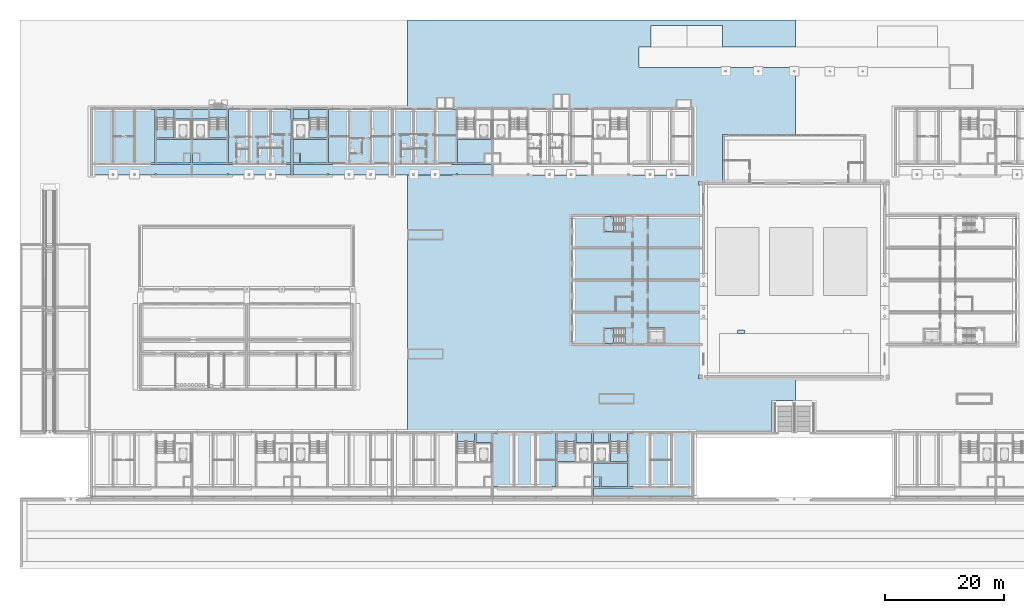
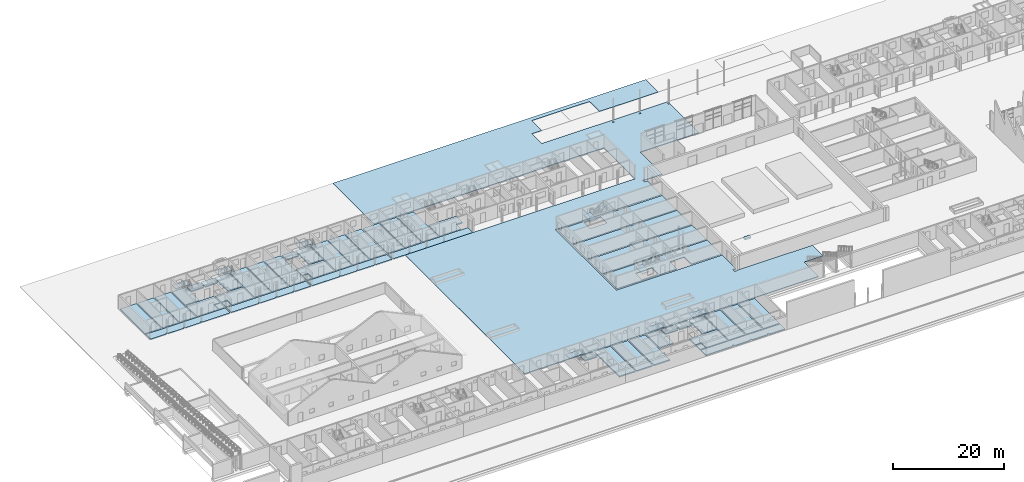
# One storey, part 30 of 112: 57 slabs, 8 elements without a shape of their own.
"""IFC4 building model written with IfcOpenShell, lengths in metres."""

from ifc_helpers import new_model, si_unit, direction, frame, origin, place, context, subcontext, project, spatial, polyline, outline, extrude, material, layer, layer_set, type_object, element, aggregate, save


model = new_model("IFC4")

# Units and contexts
model_context = context("Model", 3, precision=1e-05, world=origin(), true_north=direction((0.0, 1.0)))
body_context = subcontext(model_context, "Body", "Model", "MODEL_VIEW")
ifc_project = project(units=[si_unit("LENGTHUNIT", "METRE"), si_unit("AREAUNIT", "SQUARE_METRE"), si_unit("VOLUMEUNIT", "CUBIC_METRE"), si_unit("PLANEANGLEUNIT", "RADIAN"), si_unit("MASSUNIT", "GRAM", prefix="KILO")], contexts=[model_context])

# Site, building, storey
site_placement = place(None, origin())
site = spatial("IfcSite", under=ifc_project, at=site_placement, CompositionType="ELEMENT")
building_placement = place(site_placement, origin())
building = spatial("IfcBuilding", under=site, at=building_placement, Name="Ridgestep Commons", CompositionType="ELEMENT")
storey_placement = place(building_placement, origin())
storey = spatial("IfcBuildingStorey", under=building, at=storey_placement, Name="L00", CompositionType="ELEMENT", Elevation=0.0)

# Slabs
ifc_material_1 = material(Name="Concrete C30/37", Category="concrete")
ifc_layer_1 = layer(ifc_material_1, 0.14990234375)
ifc_layer_set_1 = layer_set([ifc_layer_1], Name="Community ground slab 150")
slab_type_1 = type_object("IfcSlabType", Name="Community ground slab 150", PredefinedType="BASESLAB", material=ifc_layer_set_1)
slab_1_placement = place(storey_placement, frame((0.0, 0.0, -0.14990234375)))
element("IfcSlab", 1, at=slab_1_placement, inside=storey, type_object=slab_type_1, Name="Community ground slab 150", PredefinedType="BASESLAB", context=body_context, shape_type="SweptSolid", body=[
    extrude(outline(polyline([(92.699951171875, 42.875), (114.39990234375, 42.875), (114.39990234375, 37.75), (108.14990234375, 37.75), (108.14990234375, 40.35009765625), (105.199951171875, 40.35009765625), (105.199951171875, 37.75), (92.699951171875, 37.75), (92.699951171875, 42.875)]), holes=[polyline([(98.030029296875, 38.070068359375), (101.429931640625, 38.070068359375), (101.429931640625, 40.280029296875), (98.030029296875, 40.280029296875), (98.030029296875, 38.070068359375)])]), origin(), (0.0, 0.0, 1.0), 0.14990234375),
])
slab_2_placement = place(storey_placement, frame((0.0, 0.0, -0.14990234375)))
element("IfcSlab", 2, at=slab_2_placement, inside=storey, type_object=slab_type_1, Name="Community ground slab 150", PredefinedType="BASESLAB", context=body_context, shape_type="SweptSolid", body=[
    extrude(outline(polyline([(92.699951171875, 43.125), (114.39990234375, 43.125), (114.39990234375, 48.27490234375), (92.699951171875, 48.27490234375), (92.699951171875, 43.125)])), origin(), (0.0, 0.0, 1.0), 0.14990234375),
])
slab_3_placement = place(storey_placement, frame((0.0, 0.0, -0.14990234375)))
element("IfcSlab", 3, at=slab_3_placement, inside=storey, type_object=slab_type_1, Name="Community ground slab 150", PredefinedType="BASESLAB", context=body_context, shape_type="SweptSolid", body=[
    extrude(outline(polyline([(92.699951171875, 48.52490234375), (114.39990234375, 48.52490234375), (114.39990234375, 53.675048828125), (92.699951171875, 53.675048828125), (92.699951171875, 48.52490234375)])), origin(), (0.0, 0.0, 1.0), 0.14990234375),
])
slab_4_placement = place(storey_placement, frame((0.0, 0.0, -0.14990234375)))
element("IfcSlab", 4, at=slab_4_placement, inside=storey, type_object=slab_type_1, Name="Community ground slab 150", PredefinedType="BASESLAB", context=body_context, shape_type="SweptSolid", body=[
    extrude(outline(polyline([(92.699951171875, 59.050048828125), (114.39990234375, 59.050048828125), (114.39990234375, 53.925048828125), (92.699951171875, 53.925048828125), (92.699951171875, 59.050048828125)]), holes=[polyline([(101.429931640625, 58.72998046875), (98.030029296875, 58.72998046875), (98.030029296875, 56.52001953125), (101.429931640625, 56.52001953125), (101.429931640625, 58.72998046875)])]), origin(), (0.0, 0.0, 1.0), 0.14990234375),
])
ifc_material_2 = material(Name="Concrete C30/37", Category="concrete")
ifc_layer_2 = layer(ifc_material_2, 0.14990234375)
ifc_layer_set_2 = layer_set([ifc_layer_2], Name="Community paving slab 150")
slab_type_2 = type_object("IfcSlabType", Name="Community paving slab 150", PredefinedType="BASESLAB", material=ifc_layer_set_2)
slab_5_placement = place(storey_placement, frame((0.0, 0.0, -0.14990234375)))
element("IfcSlab", 5, at=slab_5_placement, inside=storey, type_object=slab_type_2, Name="Court paving", PredefinedType="BASESLAB", context=body_context, shape_type="SweptSolid", body=[
    extrude(outline(polyline([(130.0, 28.199951171875), (129.300048828125, 28.199951171875), (127.10009765625, 28.199951171875), (126.800048828125, 28.199951171875), (126.10009765625, 28.199951171875), (126.10009765625, 23.0), (65.0, 23.0), (65.0, 66.0), (112.800048828125, 66.0), (112.800048828125, 77.25), (65.0, 77.25), (65.0, 92.0), (130.0, 92.0), (130.0, 87.5), (117.800048828125, 87.5), (117.800048828125, 91.10009765625), (111.800048828125, 91.10009765625), (105.800048828125, 91.10009765625), (105.800048828125, 87.5), (103.800048828125, 87.5), (103.800048828125, 84.0), (130.0, 84.0), (130.0, 72.800048828125), (117.800048828125, 72.800048828125), (117.800048828125, 64.800048828125), (114.39990234375, 64.800048828125), (114.39990234375, 64.89990234375), (113.800048828125, 64.89990234375), (113.800048828125, 64.300048828125), (114.39990234375, 64.300048828125), (114.39990234375, 59.35009765625), (92.39990234375, 59.35009765625), (92.39990234375, 37.449951171875), (114.39990234375, 37.449951171875), (114.39990234375, 32.5), (113.800048828125, 32.5), (113.800048828125, 31.89990234375), (114.39990234375, 31.89990234375), (114.39990234375, 32.0), (130.0, 32.0), (130.0, 28.199951171875)]), holes=[polyline([(118.449951171875, 83.25), (118.449951171875, 83.550048828125), (118.14990234375, 83.550048828125), (118.14990234375, 83.25), (118.449951171875, 83.25)]), polyline([(123.949951171875, 83.550048828125), (123.64990234375, 83.550048828125), (123.64990234375, 83.25), (123.949951171875, 83.25), (123.949951171875, 83.550048828125)]), polyline([(129.949951171875, 83.25), (129.949951171875, 83.550048828125), (129.64990234375, 83.550048828125), (129.64990234375, 83.25), (129.949951171875, 83.25)])]), origin(), (0.0, 0.0, 1.0), 0.14990234375),
])

# Stair, slab
ifc_material_3 = material(Name="Concrete C30/37", Category="concrete")
stair_type_1 = type_object("IfcStairType", Name="Community stair", PredefinedType="HALF_TURN_STAIR", material=ifc_material_3)
stair_1_placement = place(storey_placement, origin())
stair_1 = element("IfcStair", 6, at=stair_1_placement, inside=storey, type_object=stair_type_1, Name="L00 AW-ST0", PredefinedType="HALF_TURN_STAIR")
ifc_material_4 = material(Name="Concrete C30/37", Category="concrete")
ifc_layer_3 = layer(ifc_material_4, 0.199951171875)
ifc_layer_set_3 = layer_set([ifc_layer_3], Name="Community stair landing slab 200")
slab_type_3 = type_object("IfcSlabType", Name="Community stair landing slab 200", PredefinedType="LANDING", material=ifc_layer_set_3)
slab_6_placement = place(storey_placement, frame((0.0, 0.0, 1.300048828125)))
slab_6 = element("IfcSlab", 7, at=slab_6_placement, type_object=slab_type_3, Name="AW-ST0 landing 1", PredefinedType="LANDING", context=body_context, shape_type="SweptSolid", body=[
    extrude(outline(polyline([(99.489990234375, 40.300048828125), (98.010009765625, 40.300048828125), (98.010009765625, 37.75), (99.489990234375, 37.75), (99.489990234375, 40.300048828125)])), origin(), (0.0, 0.0, 1.0), 0.199951171875),
])
aggregate(stair_1, [slab_6])

stair_2_placement = place(storey_placement, origin())
stair_2 = element("IfcStair", 8, at=stair_2_placement, inside=storey, type_object=stair_type_1, Name="L00 AW-ST3", PredefinedType="HALF_TURN_STAIR")
slab_7_placement = place(storey_placement, frame((0.0, 0.0, 1.300048828125)))
slab_7 = element("IfcSlab", 9, at=slab_7_placement, type_object=slab_type_3, Name="AW-ST3 landing 1", PredefinedType="LANDING", context=body_context, shape_type="SweptSolid", body=[
    extrude(outline(polyline([(99.489990234375, 59.050048828125), (98.010009765625, 59.050048828125), (98.010009765625, 56.5), (99.489990234375, 56.5), (99.489990234375, 59.050048828125)])), origin(), (0.0, 0.0, 1.0), 0.199951171875),
])
aggregate(stair_2, [slab_7])

# Slabs
ifc_material_5 = material(Name="Precast concrete C40/50", Category="concrete")
ifc_layer_4 = layer(ifc_material_5, 0.199951171875)
ifc_layer_set_4 = layer_set([ifc_layer_4], Name="Gallery slab 200")
slab_type_4 = type_object("IfcSlabType", Name="Gallery slab 200", PredefinedType="FLOOR", material=ifc_layer_set_4)
slab_8_placement = place(storey_placement, frame((0.0, 0.0, -0.199951171875)))
element("IfcSlab", 10, at=slab_8_placement, inside=storey, type_object=slab_type_4, Name="Gallery slab A6 L00", PredefinedType="FLOOR", context=body_context, shape_type="SweptSolid", body=[
    extrude(outline(polyline([(112.64990234375, 13.550048828125), (96.14990234375, 13.550048828125), (96.14990234375, 11.75), (101.875, 11.75), (101.875, 12.0), (102.125, 12.0), (102.125, 11.75), (105.47509765625, 11.75), (105.47509765625, 12.0), (105.72509765625, 12.0), (105.72509765625, 11.75), (109.074951171875, 11.75), (109.074951171875, 12.0), (109.324951171875, 12.0), (109.324951171875, 11.75), (112.64990234375, 11.75), (112.64990234375, 13.550048828125)])), origin(), (0.0, 0.0, 1.0), 0.199951171875),
])
slab_9_placement = place(storey_placement, frame((0.0, 0.0, -0.199951171875)))
element("IfcSlab", 11, at=slab_9_placement, inside=storey, type_object=slab_type_4, Name="Gallery slab B1 L00", PredefinedType="FLOOR", context=body_context, shape_type="SweptSolid", body=[
    extrude(outline(polyline([(28.64990234375, 67.800048828125), (12.14990234375, 67.800048828125), (12.14990234375, 66.0), (15.47509765625, 66.0), (15.47509765625, 66.25), (15.72509765625, 66.25), (15.72509765625, 66.0), (19.074951171875, 66.0), (19.074951171875, 66.25), (19.324951171875, 66.25), (19.324951171875, 66.0), (22.675048828125, 66.0), (22.675048828125, 66.25), (22.925048828125, 66.25), (22.925048828125, 66.0), (28.64990234375, 66.0), (28.64990234375, 67.800048828125)])), origin(), (0.0, 0.0, 1.0), 0.199951171875),
])
slab_10_placement = place(storey_placement, frame((0.0, 0.0, -0.199951171875)))
element("IfcSlab", 12, at=slab_10_placement, inside=storey, type_object=slab_type_4, Name="Gallery slab B2 L00", PredefinedType="FLOOR", context=body_context, shape_type="SweptSolid", body=[
    extrude(outline(polyline([(45.449951171875, 67.800048828125), (28.949951171875, 67.800048828125), (28.949951171875, 66.0), (34.675048828125, 66.0), (34.675048828125, 66.25), (34.925048828125, 66.25), (34.925048828125, 66.0), (38.27490234375, 66.0), (38.27490234375, 66.25), (38.52490234375, 66.25), (38.52490234375, 66.0), (41.875, 66.0), (41.875, 66.25), (42.125, 66.25), (42.125, 66.0), (45.449951171875, 66.0), (45.449951171875, 67.800048828125)])), origin(), (0.0, 0.0, 1.0), 0.199951171875),
])
slab_11_placement = place(storey_placement, frame((0.0, 0.0, -0.199951171875)))
element("IfcSlab", 13, at=slab_11_placement, inside=storey, type_object=slab_type_4, Name="Gallery slab B3 L00", PredefinedType="FLOOR", context=body_context, shape_type="SweptSolid", body=[
    extrude(outline(polyline([(62.25, 67.800048828125), (45.75, 67.800048828125), (45.75, 66.0), (51.47509765625, 66.0), (51.47509765625, 66.25), (51.72509765625, 66.25), (51.72509765625, 66.0), (55.074951171875, 66.0), (55.074951171875, 66.25), (55.324951171875, 66.25), (55.324951171875, 66.0), (58.675048828125, 66.0), (58.675048828125, 66.25), (58.925048828125, 66.25), (58.925048828125, 66.0), (62.25, 66.0), (62.25, 67.800048828125)])), origin(), (0.0, 0.0, 1.0), 0.199951171875),
])
slab_12_placement = place(storey_placement, frame((0.0, 0.0, -0.199951171875)))
element("IfcSlab", 14, at=slab_12_placement, inside=storey, type_object=slab_type_4, Name="Gallery slab B4 L00", PredefinedType="FLOOR", context=body_context, shape_type="SweptSolid", body=[
    extrude(outline(polyline([(79.050048828125, 67.800048828125), (62.550048828125, 67.800048828125), (62.550048828125, 66.0), (65.875, 66.0), (65.875, 66.25), (66.125, 66.25), (66.125, 66.0), (69.47509765625, 66.0), (69.47509765625, 66.25), (69.72509765625, 66.25), (69.72509765625, 66.0), (73.074951171875, 66.0), (73.074951171875, 66.25), (73.324951171875, 66.25), (73.324951171875, 66.0), (79.050048828125, 66.0), (79.050048828125, 67.800048828125)])), origin(), (0.0, 0.0, 1.0), 0.199951171875),
])
ifc_material_6 = material(Name="Concrete C30/37", Category="concrete")
ifc_layer_5 = layer(ifc_material_6, 0.25)
ifc_layer_set_5 = layer_set([ifc_layer_5], Name="Slab on grade 250")
slab_type_5 = type_object("IfcSlabType", Name="Slab on grade 250", PredefinedType="BASESLAB", material=ifc_layer_set_5)
slab_13_placement = place(storey_placement, frame((0.0, 0.0, -0.25)))
element("IfcSlab", 15, at=slab_13_placement, inside=storey, type_object=slab_type_5, Name="Slab on grade A4C", PredefinedType="BASESLAB", context=body_context, shape_type="SweptSolid", body=[
    extrude(outline(polyline([(79.050048828125, 21.14990234375), (79.050048828125, 22.75), (76.425048828125, 22.75), (76.425048828125, 21.14990234375), (79.050048828125, 21.14990234375)])), origin(), (0.0, 0.0, 1.0), 0.25),
])
slab_14_placement = place(storey_placement, frame((0.0, 0.0, -0.25)))
element("IfcSlab", 16, at=slab_14_placement, inside=storey, type_object=slab_type_5, Name="Slab on grade A5T1", PredefinedType="BASESLAB", context=body_context, shape_type="SweptSolid", body=[
    extrude(outline(polyline([(82.675048828125, 13.75), (82.675048828125, 22.75), (79.35009765625, 22.75), (79.35009765625, 13.75), (82.675048828125, 13.75)])), origin(), (0.0, 0.0, 1.0), 0.25),
])
slab_15_placement = place(storey_placement, frame((0.0, 0.0, -0.25)))
element("IfcSlab", 17, at=slab_15_placement, inside=storey, type_object=slab_type_5, Name="Slab on grade A5T2", PredefinedType="BASESLAB", context=body_context, shape_type="SweptSolid", body=[
    extrude(outline(polyline([(86.27490234375, 13.75), (86.27490234375, 22.75), (82.925048828125, 22.75), (82.925048828125, 13.75), (86.27490234375, 13.75)])), origin(), (0.0, 0.0, 1.0), 0.25),
])
slab_16_placement = place(storey_placement, frame((0.0, 0.0, -0.25)))
element("IfcSlab", 18, at=slab_16_placement, inside=storey, type_object=slab_type_5, Name="Slab on grade A5T3", PredefinedType="BASESLAB", context=body_context, shape_type="SweptSolid", body=[
    extrude(outline(polyline([(89.875, 13.75), (89.875, 22.75), (86.52490234375, 22.75), (86.52490234375, 13.75), (89.875, 13.75)])), origin(), (0.0, 0.0, 1.0), 0.25),
])
slab_17_placement = place(storey_placement, frame((0.0, 0.0, -0.25)))
element("IfcSlab", 19, at=slab_17_placement, inside=storey, type_object=slab_type_5, Name="Slab on grade A5C", PredefinedType="BASESLAB", context=body_context, shape_type="SweptSolid", body=[
    extrude(outline(polyline([(93.02490234375, 22.75), (90.125, 22.75), (90.125, 17.949951171875), (93.02490234375, 17.949951171875), (93.02490234375, 22.75)])), origin(), (0.0, 0.0, 1.0), 0.25),
])
slab_18_placement = place(storey_placement, frame((0.0, 0.0, -0.25)))
element("IfcSlab", 20, at=slab_18_placement, inside=storey, type_object=slab_type_5, Name="Slab on grade A5C", PredefinedType="BASESLAB", context=body_context, shape_type="SweptSolid", body=[
    extrude(outline(polyline([(95.85009765625, 21.14990234375), (95.85009765625, 22.75), (93.22509765625, 22.75), (93.22509765625, 21.14990234375), (95.85009765625, 21.14990234375)])), origin(), (0.0, 0.0, 1.0), 0.25),
])
slab_19_placement = place(storey_placement, frame((0.0, 0.0, -0.25)))
element("IfcSlab", 21, at=slab_19_placement, inside=storey, type_object=slab_type_5, Name="Slab on grade A6C", PredefinedType="BASESLAB", context=body_context, shape_type="SweptSolid", body=[
    extrude(outline(polyline([(97.39990234375, 13.75), (101.875, 13.75), (101.875, 17.75), (96.14990234375, 17.75), (96.14990234375, 15.469970703125), (97.280029296875, 15.469970703125), (97.39990234375, 15.469970703125), (97.39990234375, 13.75)])), origin(), (0.0, 0.0, 1.0), 0.25),
])
slab_20_placement = place(storey_placement, frame((0.0, 0.0, -0.25)))
element("IfcSlab", 22, at=slab_20_placement, inside=storey, type_object=slab_type_5, Name="Slab on grade A6C", PredefinedType="BASESLAB", context=body_context, shape_type="SweptSolid", body=[
    extrude(outline(polyline([(101.875, 17.949951171875), (101.875, 22.75), (98.97509765625, 22.75), (98.97509765625, 17.949951171875), (101.875, 17.949951171875)])), origin(), (0.0, 0.0, 1.0), 0.25),
])
slab_21_placement = place(storey_placement, frame((0.0, 0.0, -0.25)))
element("IfcSlab", 23, at=slab_21_placement, inside=storey, type_object=slab_type_5, Name="Slab on grade A6C", PredefinedType="BASESLAB", context=body_context, shape_type="SweptSolid", body=[
    extrude(outline(polyline([(98.77490234375, 22.75), (96.14990234375, 22.75), (96.14990234375, 21.14990234375), (98.77490234375, 21.14990234375), (98.77490234375, 22.75)])), origin(), (0.0, 0.0, 1.0), 0.25),
])
slab_22_placement = place(storey_placement, frame((0.0, 0.0, -0.25)))
element("IfcSlab", 24, at=slab_22_placement, inside=storey, type_object=slab_type_5, Name="Slab on grade A6C", PredefinedType="BASESLAB", context=body_context, shape_type="SweptSolid", body=[
    extrude(outline(polyline([(97.280029296875, 15.35009765625), (96.14990234375, 15.35009765625), (96.14990234375, 13.75), (97.280029296875, 13.75), (97.280029296875, 15.35009765625)])), origin(), (0.0, 0.0, 1.0), 0.25),
])
slab_23_placement = place(storey_placement, frame((0.0, 0.0, -0.25)))
element("IfcSlab", 25, at=slab_23_placement, inside=storey, type_object=slab_type_5, Name="Slab on grade A6T3", PredefinedType="BASESLAB", context=body_context, shape_type="SweptSolid", body=[
    extrude(outline(polyline([(105.47509765625, 13.75), (105.47509765625, 22.75), (102.125, 22.75), (102.125, 13.75), (105.47509765625, 13.75)])), origin(), (0.0, 0.0, 1.0), 0.25),
])
slab_24_placement = place(storey_placement, frame((0.0, 0.0, -0.25)))
element("IfcSlab", 26, at=slab_24_placement, inside=storey, type_object=slab_type_5, Name="Slab on grade A6T2", PredefinedType="BASESLAB", context=body_context, shape_type="SweptSolid", body=[
    extrude(outline(polyline([(109.074951171875, 13.75), (109.074951171875, 22.75), (105.72509765625, 22.75), (105.72509765625, 13.75), (109.074951171875, 13.75)])), origin(), (0.0, 0.0, 1.0), 0.25),
])
slab_25_placement = place(storey_placement, frame((0.0, 0.0, -0.25)))
element("IfcSlab", 27, at=slab_25_placement, inside=storey, type_object=slab_type_5, Name="Slab on grade A6T1", PredefinedType="BASESLAB", context=body_context, shape_type="SweptSolid", body=[
    extrude(outline(polyline([(112.64990234375, 13.75), (112.64990234375, 22.75), (109.324951171875, 22.75), (109.324951171875, 13.75), (112.64990234375, 13.75)])), origin(), (0.0, 0.0, 1.0), 0.25),
])
slab_26_placement = place(storey_placement, frame((0.0, 0.0, -0.25)))
element("IfcSlab", 28, at=slab_26_placement, inside=storey, type_object=slab_type_5, Name="Slab on grade B1T1", PredefinedType="BASESLAB", context=body_context, shape_type="SweptSolid", body=[
    extrude(outline(polyline([(15.5, 68.0), (15.5, 77.0), (12.14990234375, 77.0), (12.14990234375, 68.0), (15.5, 68.0)])), origin(), (0.0, 0.0, 1.0), 0.25),
])
slab_27_placement = place(storey_placement, frame((0.0, 0.0, -0.25)))
element("IfcSlab", 29, at=slab_27_placement, inside=storey, type_object=slab_type_5, Name="Slab on grade B1T2", PredefinedType="BASESLAB", context=body_context, shape_type="SweptSolid", body=[
    extrude(outline(polyline([(19.10009765625, 68.0), (19.10009765625, 77.0), (15.699951171875, 77.0), (15.699951171875, 68.0), (19.10009765625, 68.0)])), origin(), (0.0, 0.0, 1.0), 0.25),
])
slab_28_placement = place(storey_placement, frame((0.0, 0.0, -0.25)))
element("IfcSlab", 30, at=slab_28_placement, inside=storey, type_object=slab_type_5, Name="Slab on grade B1T3", PredefinedType="BASESLAB", context=body_context, shape_type="SweptSolid", body=[
    extrude(outline(polyline([(22.675048828125, 68.0), (22.675048828125, 77.0), (19.300048828125, 77.0), (19.300048828125, 68.0), (22.675048828125, 68.0)])), origin(), (0.0, 0.0, 1.0), 0.25),
])
slab_29_placement = place(storey_placement, frame((0.0, 0.0, -0.25)))
element("IfcSlab", 31, at=slab_29_placement, inside=storey, type_object=slab_type_5, Name="Slab on grade B1C", PredefinedType="BASESLAB", context=body_context, shape_type="SweptSolid", body=[
    extrude(outline(polyline([(27.52001953125, 69.719970703125), (28.64990234375, 69.719970703125), (28.64990234375, 72.0), (22.925048828125, 72.0), (22.925048828125, 68.0), (27.39990234375, 68.0), (27.39990234375, 69.719970703125), (27.52001953125, 69.719970703125)])), origin(), (0.0, 0.0, 1.0), 0.25),
])
slab_30_placement = place(storey_placement, frame((0.0, 0.0, -0.25)))
element("IfcSlab", 32, at=slab_30_placement, inside=storey, type_object=slab_type_5, Name="Slab on grade B1C", PredefinedType="BASESLAB", context=body_context, shape_type="SweptSolid", body=[
    extrude(outline(polyline([(25.824951171875, 77.0), (22.925048828125, 77.0), (22.925048828125, 72.199951171875), (25.824951171875, 72.199951171875), (25.824951171875, 77.0)])), origin(), (0.0, 0.0, 1.0), 0.25),
])
slab_31_placement = place(storey_placement, frame((0.0, 0.0, -0.25)))
element("IfcSlab", 33, at=slab_31_placement, inside=storey, type_object=slab_type_5, Name="Slab on grade B1C", PredefinedType="BASESLAB", context=body_context, shape_type="SweptSolid", body=[
    extrude(outline(polyline([(28.64990234375, 75.39990234375), (28.64990234375, 77.0), (26.02490234375, 77.0), (26.02490234375, 75.39990234375), (28.64990234375, 75.39990234375)])), origin(), (0.0, 0.0, 1.0), 0.25),
])
slab_32_placement = place(storey_placement, frame((0.0, 0.0, -0.25)))
element("IfcSlab", 34, at=slab_32_placement, inside=storey, type_object=slab_type_5, Name="Slab on grade B1C", PredefinedType="BASESLAB", context=body_context, shape_type="SweptSolid", body=[
    extrude(outline(polyline([(27.52001953125, 68.0), (28.64990234375, 68.0), (28.64990234375, 69.60009765625), (27.52001953125, 69.60009765625), (27.52001953125, 68.0)])), origin(), (0.0, 0.0, 1.0), 0.25),
])
slab_33_placement = place(storey_placement, frame((0.0, 0.0, -0.25)))
element("IfcSlab", 35, at=slab_33_placement, inside=storey, type_object=slab_type_5, Name="Slab on grade B2C", PredefinedType="BASESLAB", context=body_context, shape_type="SweptSolid", body=[
    extrude(outline(polyline([(30.199951171875, 68.0), (34.675048828125, 68.0), (34.675048828125, 72.0), (28.949951171875, 72.0), (28.949951171875, 69.719970703125), (30.080078125, 69.719970703125), (30.199951171875, 69.719970703125), (30.199951171875, 68.0)])), origin(), (0.0, 0.0, 1.0), 0.25),
])
slab_34_placement = place(storey_placement, frame((0.0, 0.0, -0.25)))
element("IfcSlab", 36, at=slab_34_placement, inside=storey, type_object=slab_type_5, Name="Slab on grade B2C", PredefinedType="BASESLAB", context=body_context, shape_type="SweptSolid", body=[
    extrude(outline(polyline([(34.675048828125, 72.199951171875), (34.675048828125, 77.0), (31.77490234375, 77.0), (31.77490234375, 72.199951171875), (34.675048828125, 72.199951171875)])), origin(), (0.0, 0.0, 1.0), 0.25),
])
slab_35_placement = place(storey_placement, frame((0.0, 0.0, -0.25)))
element("IfcSlab", 37, at=slab_35_placement, inside=storey, type_object=slab_type_5, Name="Slab on grade B2C", PredefinedType="BASESLAB", context=body_context, shape_type="SweptSolid", body=[
    extrude(outline(polyline([(31.574951171875, 77.0), (28.949951171875, 77.0), (28.949951171875, 75.39990234375), (31.574951171875, 75.39990234375), (31.574951171875, 77.0)])), origin(), (0.0, 0.0, 1.0), 0.25),
])
slab_36_placement = place(storey_placement, frame((0.0, 0.0, -0.25)))
element("IfcSlab", 38, at=slab_36_placement, inside=storey, type_object=slab_type_5, Name="Slab on grade B2C", PredefinedType="BASESLAB", context=body_context, shape_type="SweptSolid", body=[
    extrude(outline(polyline([(30.080078125, 69.60009765625), (28.949951171875, 69.60009765625), (28.949951171875, 68.0), (30.080078125, 68.0), (30.080078125, 69.60009765625)])), origin(), (0.0, 0.0, 1.0), 0.25),
])
slab_37_placement = place(storey_placement, frame((0.0, 0.0, -0.25)))
element("IfcSlab", 39, at=slab_37_placement, inside=storey, type_object=slab_type_5, Name="Slab on grade B2T3", PredefinedType="BASESLAB", context=body_context, shape_type="SweptSolid", body=[
    extrude(outline(polyline([(38.27490234375, 68.0), (38.27490234375, 77.0), (34.925048828125, 77.0), (34.925048828125, 68.0), (38.27490234375, 68.0)])), origin(), (0.0, 0.0, 1.0), 0.25),
])
slab_38_placement = place(storey_placement, frame((0.0, 0.0, -0.25)))
element("IfcSlab", 40, at=slab_38_placement, inside=storey, type_object=slab_type_5, Name="Slab on grade B2T2", PredefinedType="BASESLAB", context=body_context, shape_type="SweptSolid", body=[
    extrude(outline(polyline([(41.875, 68.0), (41.875, 77.0), (38.52490234375, 77.0), (38.52490234375, 68.0), (41.875, 68.0)])), origin(), (0.0, 0.0, 1.0), 0.25),
])
slab_39_placement = place(storey_placement, frame((0.0, 0.0, -0.25)))
element("IfcSlab", 41, at=slab_39_placement, inside=storey, type_object=slab_type_5, Name="Slab on grade B2T1", PredefinedType="BASESLAB", context=body_context, shape_type="SweptSolid", body=[
    extrude(outline(polyline([(45.449951171875, 68.0), (45.449951171875, 77.0), (42.125, 77.0), (42.125, 68.0), (45.449951171875, 68.0)])), origin(), (0.0, 0.0, 1.0), 0.25),
])
slab_40_placement = place(storey_placement, frame((0.0, 0.0, -0.25)))
element("IfcSlab", 42, at=slab_40_placement, inside=storey, type_object=slab_type_5, Name="Slab on grade B3C", PredefinedType="BASESLAB", context=body_context, shape_type="SweptSolid", body=[
    extrude(outline(polyline([(47.0, 68.0), (51.47509765625, 68.0), (51.47509765625, 72.0), (45.75, 72.0), (45.75, 69.719970703125), (46.8798828125, 69.719970703125), (47.0, 69.719970703125), (47.0, 68.0)])), origin(), (0.0, 0.0, 1.0), 0.25),
])
slab_41_placement = place(storey_placement, frame((0.0, 0.0, -0.25)))
element("IfcSlab", 43, at=slab_41_placement, inside=storey, type_object=slab_type_5, Name="Slab on grade B3C", PredefinedType="BASESLAB", context=body_context, shape_type="SweptSolid", body=[
    extrude(outline(polyline([(51.47509765625, 72.199951171875), (51.47509765625, 77.0), (48.574951171875, 77.0), (48.574951171875, 72.199951171875), (51.47509765625, 72.199951171875)])), origin(), (0.0, 0.0, 1.0), 0.25),
])
slab_42_placement = place(storey_placement, frame((0.0, 0.0, -0.25)))
element("IfcSlab", 44, at=slab_42_placement, inside=storey, type_object=slab_type_5, Name="Slab on grade B3C", PredefinedType="BASESLAB", context=body_context, shape_type="SweptSolid", body=[
    extrude(outline(polyline([(48.375, 77.0), (45.75, 77.0), (45.75, 75.39990234375), (48.375, 75.39990234375), (48.375, 77.0)])), origin(), (0.0, 0.0, 1.0), 0.25),
])
slab_43_placement = place(storey_placement, frame((0.0, 0.0, -0.25)))
element("IfcSlab", 45, at=slab_43_placement, inside=storey, type_object=slab_type_5, Name="Slab on grade B3C", PredefinedType="BASESLAB", context=body_context, shape_type="SweptSolid", body=[
    extrude(outline(polyline([(46.8798828125, 69.60009765625), (45.75, 69.60009765625), (45.75, 68.0), (46.8798828125, 68.0), (46.8798828125, 69.60009765625)])), origin(), (0.0, 0.0, 1.0), 0.25),
])
slab_44_placement = place(storey_placement, frame((0.0, 0.0, -0.25)))
element("IfcSlab", 46, at=slab_44_placement, inside=storey, type_object=slab_type_5, Name="Slab on grade B3T3", PredefinedType="BASESLAB", context=body_context, shape_type="SweptSolid", body=[
    extrude(outline(polyline([(55.10009765625, 68.0), (55.10009765625, 77.0), (51.72509765625, 77.0), (51.72509765625, 68.0), (55.10009765625, 68.0)])), origin(), (0.0, 0.0, 1.0), 0.25),
])
slab_45_placement = place(storey_placement, frame((0.0, 0.0, -0.25)))
element("IfcSlab", 47, at=slab_45_placement, inside=storey, type_object=slab_type_5, Name="Slab on grade B3T2", PredefinedType="BASESLAB", context=body_context, shape_type="SweptSolid", body=[
    extrude(outline(polyline([(58.699951171875, 68.0), (58.699951171875, 77.0), (55.300048828125, 77.0), (55.300048828125, 68.0), (58.699951171875, 68.0)])), origin(), (0.0, 0.0, 1.0), 0.25),
])
slab_46_placement = place(storey_placement, frame((0.0, 0.0, -0.25)))
element("IfcSlab", 48, at=slab_46_placement, inside=storey, type_object=slab_type_5, Name="Slab on grade B3T1", PredefinedType="BASESLAB", context=body_context, shape_type="SweptSolid", body=[
    extrude(outline(polyline([(62.25, 68.0), (62.25, 77.0), (58.89990234375, 77.0), (58.89990234375, 68.0), (62.25, 68.0)])), origin(), (0.0, 0.0, 1.0), 0.25),
])
slab_47_placement = place(storey_placement, frame((0.0, 0.0, -0.25)))
element("IfcSlab", 49, at=slab_47_placement, inside=storey, type_object=slab_type_5, Name="Slab on grade B4T1", PredefinedType="BASESLAB", context=body_context, shape_type="SweptSolid", body=[
    extrude(outline(polyline([(65.875, 68.0), (65.875, 77.0), (62.550048828125, 77.0), (62.550048828125, 68.0), (65.875, 68.0)])), origin(), (0.0, 0.0, 1.0), 0.25),
])
slab_48_placement = place(storey_placement, frame((0.0, 0.0, -0.25)))
element("IfcSlab", 50, at=slab_48_placement, inside=storey, type_object=slab_type_5, Name="Slab on grade B4T2", PredefinedType="BASESLAB", context=body_context, shape_type="SweptSolid", body=[
    extrude(outline(polyline([(69.47509765625, 68.0), (69.47509765625, 77.0), (66.125, 77.0), (66.125, 68.0), (69.47509765625, 68.0)])), origin(), (0.0, 0.0, 1.0), 0.25),
])
slab_49_placement = place(storey_placement, frame((0.0, 0.0, -0.25)))
element("IfcSlab", 51, at=slab_49_placement, inside=storey, type_object=slab_type_5, Name="Slab on grade B4T3", PredefinedType="BASESLAB", context=body_context, shape_type="SweptSolid", body=[
    extrude(outline(polyline([(73.074951171875, 68.0), (73.074951171875, 77.0), (69.72509765625, 77.0), (69.72509765625, 68.0), (73.074951171875, 68.0)])), origin(), (0.0, 0.0, 1.0), 0.25),
])
slab_50_placement = place(storey_placement, frame((0.0, 0.0, -0.25)))
element("IfcSlab", 52, at=slab_50_placement, inside=storey, type_object=slab_type_5, Name="Slab on grade B4C", PredefinedType="BASESLAB", context=body_context, shape_type="SweptSolid", body=[
    extrude(outline(polyline([(77.919921875, 69.719970703125), (79.050048828125, 69.719970703125), (79.050048828125, 72.0), (73.324951171875, 72.0), (73.324951171875, 68.0), (77.800048828125, 68.0), (77.800048828125, 69.719970703125), (77.919921875, 69.719970703125)])), origin(), (0.0, 0.0, 1.0), 0.25),
])
ifc_material_7 = material(Name="Concrete C30/37", Category="concrete")
ifc_layer_6 = layer(ifc_material_7, 0.375)
ifc_layer_set_6 = layer_set([ifc_layer_6], Name="Stage step 375")
slab_type_6 = type_object("IfcSlabType", Name="Stage step 375", PredefinedType="FLOOR", material=ifc_layer_set_6)
slab_51_placement = place(storey_placement, origin())
element("IfcSlab", 53, at=slab_51_placement, inside=storey, type_object=slab_type_6, Name="Stage step", PredefinedType="FLOOR", context=body_context, shape_type="SweptSolid", body=[
    extrude(outline(polyline([(120.300048828125, 39.39990234375), (121.5, 39.39990234375), (121.5, 40.0), (120.300048828125, 40.0), (120.300048828125, 39.39990234375)])), origin(), (0.0, 0.0, 1.0), 0.375),
])

# Stair, slab
ifc_material_8 = material(Name="Precast concrete C40/50", Category="concrete")
stair_type_2 = type_object("IfcStairType", Name="Escape stair 1400", PredefinedType="HALF_TURN_STAIR", material=ifc_material_8)
stair_3_placement = place(storey_placement, origin())
stair_3 = element("IfcStair", 54, at=stair_3_placement, inside=storey, type_object=stair_type_2, Name="L00 Escape stair A4C", PredefinedType="HALF_TURN_STAIR")
ifc_material_9 = material(Name="Precast concrete C40/50", Category="concrete")
ifc_layer_7 = layer(ifc_material_9, 0.199951171875)
ifc_layer_set_7 = layer_set([ifc_layer_7], Name="Stair landing 200")
slab_type_7 = type_object("IfcSlabType", Name="Stair landing 200", PredefinedType="LANDING", material=ifc_layer_set_7)
slab_52_placement = place(storey_placement, frame((0.0, 0.0, 1.300048828125)))
slab_52 = element("IfcSlab", 55, at=slab_52_placement, type_object=slab_type_7, Name="A4C landing 1", PredefinedType="LANDING", context=body_context, shape_type="SweptSolid", body=[
    extrude(outline(polyline([(76.22509765625, 21.31005859375), (76.22509765625, 22.75), (73.324951171875, 22.75), (73.324951171875, 21.31005859375), (76.22509765625, 21.31005859375)])), origin(), (0.0, 0.0, 1.0), 0.199951171875),
])
aggregate(stair_3, [slab_52])

stair_4_placement = place(storey_placement, origin())
stair_4 = element("IfcStair", 56, at=stair_4_placement, inside=storey, type_object=stair_type_2, Name="L00 Escape stair A5C", PredefinedType="HALF_TURN_STAIR")
slab_53_placement = place(storey_placement, frame((0.0, 0.0, 1.300048828125)))
slab_53 = element("IfcSlab", 57, at=slab_53_placement, type_object=slab_type_7, Name="A5C landing 1", PredefinedType="LANDING", context=body_context, shape_type="SweptSolid", body=[
    extrude(outline(polyline([(93.02490234375, 21.31005859375), (93.02490234375, 22.75), (90.125, 22.75), (90.125, 21.31005859375), (93.02490234375, 21.31005859375)])), origin(), (0.0, 0.0, 1.0), 0.199951171875),
])
aggregate(stair_4, [slab_53])

stair_5_placement = place(storey_placement, origin())
stair_5 = element("IfcStair", 58, at=stair_5_placement, inside=storey, type_object=stair_type_2, Name="L00 Escape stair A6C", PredefinedType="HALF_TURN_STAIR")
slab_54_placement = place(storey_placement, frame((0.0, 0.0, 1.300048828125)))
slab_54 = element("IfcSlab", 59, at=slab_54_placement, type_object=slab_type_7, Name="A6C landing 1", PredefinedType="LANDING", context=body_context, shape_type="SweptSolid", body=[
    extrude(outline(polyline([(101.875, 21.31005859375), (101.875, 22.75), (98.97509765625, 22.75), (98.97509765625, 21.31005859375), (101.875, 21.31005859375)])), origin(), (0.0, 0.0, 1.0), 0.199951171875),
])
aggregate(stair_5, [slab_54])

stair_6_placement = place(storey_placement, origin())
stair_6 = element("IfcStair", 60, at=stair_6_placement, inside=storey, type_object=stair_type_2, Name="L00 Escape stair B1C", PredefinedType="HALF_TURN_STAIR")
slab_55_placement = place(storey_placement, frame((0.0, 0.0, 1.300048828125)))
slab_55 = element("IfcSlab", 61, at=slab_55_placement, type_object=slab_type_7, Name="B1C landing 1", PredefinedType="LANDING", context=body_context, shape_type="SweptSolid", body=[
    extrude(outline(polyline([(25.824951171875, 75.56005859375), (25.824951171875, 77.0), (22.925048828125, 77.0), (22.925048828125, 75.56005859375), (25.824951171875, 75.56005859375)])), origin(), (0.0, 0.0, 1.0), 0.199951171875),
])
aggregate(stair_6, [slab_55])

stair_7_placement = place(storey_placement, origin())
stair_7 = element("IfcStair", 62, at=stair_7_placement, inside=storey, type_object=stair_type_2, Name="L00 Escape stair B2C", PredefinedType="HALF_TURN_STAIR")
slab_56_placement = place(storey_placement, frame((0.0, 0.0, 1.300048828125)))
slab_56 = element("IfcSlab", 63, at=slab_56_placement, type_object=slab_type_7, Name="B2C landing 1", PredefinedType="LANDING", context=body_context, shape_type="SweptSolid", body=[
    extrude(outline(polyline([(34.675048828125, 75.56005859375), (34.675048828125, 77.0), (31.77490234375, 77.0), (31.77490234375, 75.56005859375), (34.675048828125, 75.56005859375)])), origin(), (0.0, 0.0, 1.0), 0.199951171875),
])
aggregate(stair_7, [slab_56])

stair_8_placement = place(storey_placement, origin())
stair_8 = element("IfcStair", 64, at=stair_8_placement, inside=storey, type_object=stair_type_2, Name="L00 Escape stair B3C", PredefinedType="HALF_TURN_STAIR")
slab_57_placement = place(storey_placement, frame((0.0, 0.0, 1.300048828125)))
slab_57 = element("IfcSlab", 65, at=slab_57_placement, type_object=slab_type_7, Name="B3C landing 1", PredefinedType="LANDING", context=body_context, shape_type="SweptSolid", body=[
    extrude(outline(polyline([(51.47509765625, 75.56005859375), (51.47509765625, 77.0), (48.574951171875, 77.0), (48.574951171875, 75.56005859375), (51.47509765625, 75.56005859375)])), origin(), (0.0, 0.0, 1.0), 0.199951171875),
])
aggregate(stair_8, [slab_57])

save(model, "model.ifc")
